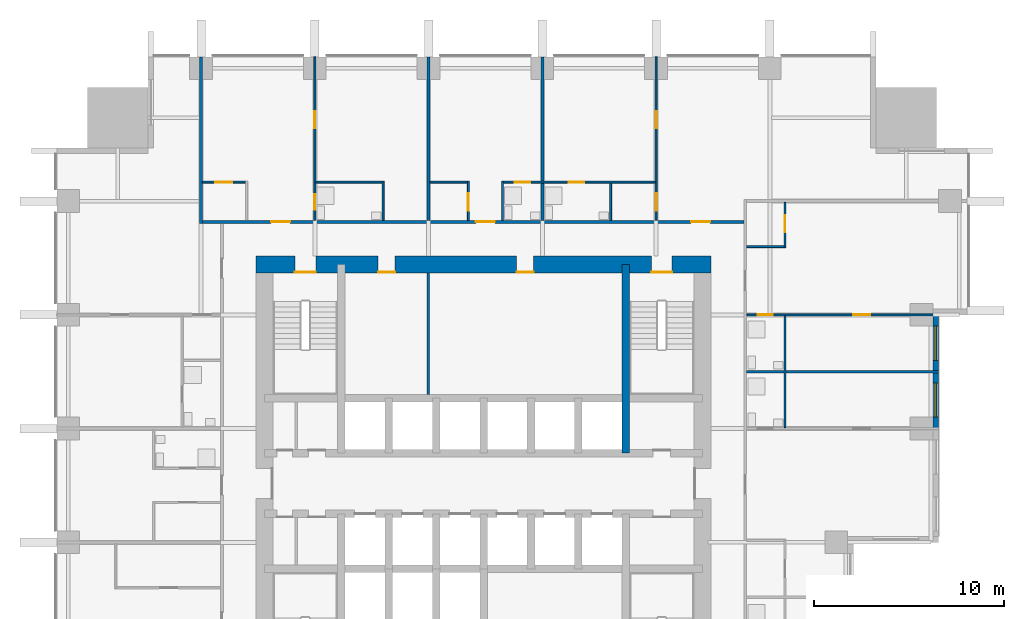
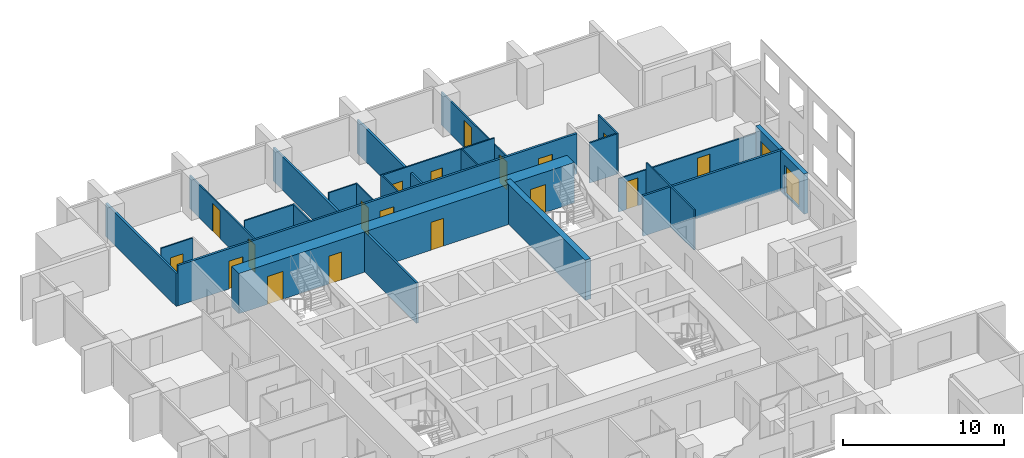
# One storey, part 7 of 11: 23 walls, 18 doors, 2 windows, 20 openings.
"""IFC4 building model written with IfcOpenShell, lengths in metres."""

from ifc_helpers import new_model, si_unit, direction, frame, frame_2d, origin, place, context, subcontext, project, spatial, rectangle, extrude, material, layer, layer_set, type_object, element, fill, save


model = new_model("IFC4")

# Units and contexts
model_context = context("Model", 3, precision=1e-05, world=origin(), true_north=direction((0.0, 1.0)))
body_context = subcontext(model_context, "Body", "Model", "MODEL_VIEW")
ifc_project = project(units=[si_unit("LENGTHUNIT", "METRE"), si_unit("AREAUNIT", "SQUARE_METRE"), si_unit("VOLUMEUNIT", "CUBIC_METRE"), si_unit("PLANEANGLEUNIT", "RADIAN"), si_unit("MASSUNIT", "GRAM", prefix="KILO")], contexts=[model_context])

# Site, building, storey
site_placement = place(None, origin())
site = spatial("IfcSite", under=ifc_project, at=site_placement, CompositionType="ELEMENT")
building_placement = place(site_placement, origin())
building = spatial("IfcBuilding", under=site, at=building_placement, Name="Amberfall Residences", CompositionType="ELEMENT")
storey_placement = place(building_placement, frame((0.0, 0.0, 59.800048828125)))
storey = spatial("IfcBuildingStorey", under=building, at=storey_placement, Name="L16", CompositionType="ELEMENT", Elevation=59.800048828125)

# Wall, openings, windows
ifc_material_1 = material(Name="Pale stone cladding on insulated backing", Category="masonry")
ifc_layer_1 = layer(ifc_material_1, 0.300048828125)
ifc_layer_set_1 = layer_set([ifc_layer_1], Name="Bronze clad wall 300")
wall_type_1 = type_object("IfcWallType", Name="Bronze clad wall 300", PredefinedType="SOLIDWALL", material=ifc_layer_set_1)
wall_1_placement = place(storey_placement, frame((98.35009765625, 48.39990234375, 0.0), z_axis=(0.0, 0.0, 1.0), x_axis=(0.0, 1.0, 0.0)))
wall_1 = element("IfcWall", 1, at=wall_1_placement, inside=storey, type_object=wall_type_1, Name="Stone wall L16 E", PredefinedType="SOLIDWALL", context=body_context, shape_type="SweptSolid", body=[
    extrude(rectangle(XDim=6.0, YDim=0.300048828125, at=frame_2d((3.0, 0.0))), origin(), (0.0, 0.0, 1.0), 3.050048828125),
])
opening_1_placement = place(wall_1_placement, frame((0.60009765625, 0.0, 0.14990234375)))
opening_1 = element("IfcOpeningElement", 2, at=opening_1_placement, cuts=wall_1, Name="Opening WN6", PredefinedType="OPENING", context=body_context, shape_type="SweptSolid", body=[
    extrude(rectangle(XDim=1.800048828125, YDim=2.10009765625, at=frame_2d((0.89990234375, 1.050048828125))), frame((0.0, 0.159912109375, 0.0), z_axis=(0.0, -1.0, 0.0), x_axis=(1.0, 0.0, 0.0)), (0.0, 0.0, 1.0), 0.320068359375),
])
opening_2_placement = place(wall_1_placement, frame((3.60009765625, 0.0, 0.14990234375)))
opening_2 = element("IfcOpeningElement", 3, at=opening_2_placement, cuts=wall_1, Name="Opening WN6", PredefinedType="OPENING", context=body_context, shape_type="SweptSolid", body=[
    extrude(rectangle(XDim=1.800048828125, YDim=2.10009765625, at=frame_2d((0.89990234375, 1.050048828125))), frame((0.0, 0.159912109375, 0.0), z_axis=(0.0, -1.0, 0.0), x_axis=(1.0, 0.0, 0.0)), (0.0, 0.0, 1.0), 0.320068359375),
])
ifc_material_2 = material(Name="Bronze aluminium framed glazing", Category="aluminium")
window_type = type_object("IfcWindowType", Name="Glazed opening 1800 x 2100 bronze", PartitioningType="DOUBLE_PANEL_VERTICAL", PredefinedType="WINDOW", material=ifc_material_2)
window_1_placement = place(opening_1_placement, origin())
window_1 = element("IfcWindow", 4, at=window_1_placement, inside=storey, type_object=window_type, Name="Window L16 E", OverallHeight=2.10009765625, OverallWidth=1.800048828125, PartitioningType="DOUBLE_PANEL_VERTICAL", PredefinedType="WINDOW", context=body_context, shape_type="SweptSolid", body=[
    extrude(rectangle(XDim=1.800048828125, YDim=2.10009765625, at=frame_2d((0.89990234375, 1.050048828125))), frame((0.0, 0.030029296875, 0.0), z_axis=(0.0, -1.0, 0.0), x_axis=(1.0, 0.0, 0.0)), (0.0, 0.0, 1.0), 0.06005859375),
])
fill(opening_1, window_1)
window_2_placement = place(opening_2_placement, origin())
window_2 = element("IfcWindow", 5, at=window_2_placement, inside=storey, type_object=window_type, Name="Window L16 E", OverallHeight=2.10009765625, OverallWidth=1.800048828125, PartitioningType="DOUBLE_PANEL_VERTICAL", PredefinedType="WINDOW", context=body_context, shape_type="SweptSolid", body=[
    extrude(rectangle(XDim=1.800048828125, YDim=2.10009765625, at=frame_2d((0.89990234375, 1.050048828125))), frame((0.0, 0.030029296875, 0.0), z_axis=(0.0, -1.0, 0.0), x_axis=(1.0, 0.0, 0.0)), (0.0, 0.0, 1.0), 0.06005859375),
])
fill(opening_2, window_2)

# Wall
ifc_material_3 = material(Name="Concrete C80", Category="concrete")
ifc_layer_2 = layer(ifc_material_3, 0.39990234375)
ifc_layer_set_2 = layer_set([ifc_layer_2], Name="Core wall 400 C80")
wall_type_2 = type_object("IfcWallType", Name="Core wall 400 C80", PredefinedType="SHEAR", material=ifc_layer_set_2)
wall_2_placement = place(storey_placement, frame((82.0, 47.10009765625, 0.0), z_axis=(0.0, 0.0, 1.0), x_axis=(0.0, 1.0, 0.0)))
element("IfcWall", 6, at=wall_2_placement, inside=storey, type_object=wall_type_2, Name="Core wall RW2 L16 V195N", PredefinedType="SHEAR", context=body_context, shape_type="SweptSolid", body=[
    extrude(rectangle(XDim=9.949951171875, YDim=0.39990234375, at=frame_2d((4.97509765625, 0.0))), origin(), (0.0, 0.0, 1.0), 3.050048828125),
])

# Wall, openings, doors
ifc_layer_3 = layer(ifc_material_3, 0.89990234375)
ifc_layer_set_3 = layer_set([ifc_layer_3], Name="Core wall 900 C80")
wall_type_3 = type_object("IfcWallType", Name="Core wall 900 C80", PredefinedType="SHEAR", material=ifc_layer_set_3)
wall_3_placement = place(storey_placement, frame((62.5, 57.050048828125, 0.0), z_axis=(0.0, 0.0, 1.0), x_axis=(1.0, 0.0, 0.0)))
wall_3 = element("IfcWall", 7, at=wall_3_placement, inside=storey, type_object=wall_type_3, Name="Core wall RW1 L16 ON", PredefinedType="SHEAR", context=body_context, shape_type="SweptSolid", body=[
    extrude(rectangle(XDim=24.0, YDim=0.89990234375, at=frame_2d((12.0, 0.0))), origin(), (0.0, 0.0, 1.0), 3.050048828125),
])
opening_3_placement = place(wall_3_placement, frame((20.85009765625, 0.0, 0.0)))
opening_3 = element("IfcOpeningElement", 8, at=opening_3_placement, cuts=wall_3, Name="Opening SD1", PredefinedType="OPENING", context=body_context, shape_type="SweptSolid", body=[
    extrude(rectangle(XDim=1.10009765625, YDim=2.10009765625, at=frame_2d((0.550048828125, 1.050048828125))), frame((0.0, 0.4599609375, 0.0), z_axis=(0.0, -1.0, 0.0), x_axis=(1.0, 0.0, 0.0)), (0.0, 0.0, 1.0), 0.919921875),
])
opening_4_placement = place(wall_3_placement, frame((2.050048828125, 0.0, 0.0)))
opening_4 = element("IfcOpeningElement", 9, at=opening_4_placement, cuts=wall_3, Name="Opening SD1", PredefinedType="OPENING", context=body_context, shape_type="SweptSolid", body=[
    extrude(rectangle(XDim=1.10009765625, YDim=2.10009765625, at=frame_2d((0.550048828125, 1.050048828125))), frame((0.0, 0.4599609375, 0.0), z_axis=(0.0, -1.0, 0.0), x_axis=(1.0, 0.0, 0.0)), (0.0, 0.0, 1.0), 0.919921875),
])
opening_5_placement = place(wall_3_placement, frame((6.43994140625, 0.0, 0.0)))
opening_5 = element("IfcOpeningElement", 10, at=opening_5_placement, cuts=wall_3, Name="Opening RD1", PredefinedType="OPENING", context=body_context, shape_type="SweptSolid", body=[
    extrude(rectangle(XDim=0.89990234375, YDim=2.10009765625, at=frame_2d((0.449951171875, 1.050048828125))), frame((0.0, 0.4599609375, 0.0), z_axis=(0.0, -1.0, 0.0), x_axis=(1.0, 0.0, 0.0)), (0.0, 0.0, 1.0), 0.919921875),
])
opening_6_placement = place(wall_3_placement, frame((13.739990234375, 0.0, 0.0)))
opening_6 = element("IfcOpeningElement", 11, at=opening_6_placement, cuts=wall_3, Name="Opening RD1", PredefinedType="OPENING", context=body_context, shape_type="SweptSolid", body=[
    extrude(rectangle(XDim=0.89990234375, YDim=2.10009765625, at=frame_2d((0.449951171875, 1.050048828125))), frame((0.0, 0.4599609375, 0.0), z_axis=(0.0, -1.0, 0.0), x_axis=(1.0, 0.0, 0.0)), (0.0, 0.0, 1.0), 0.919921875),
])
ifc_material_4 = material(Name="Steel fire door set", Category="steel")
door_type_1 = type_object("IfcDoorType", Name="Service room door 900 x 2100", OperationType="SINGLE_SWING_LEFT", PredefinedType="DOOR", material=ifc_material_4)
door_1_placement = place(opening_5_placement, origin())
door_1 = element("IfcDoor", 12, at=door_1_placement, inside=storey, type_object=door_type_1, Name="RD1 L16", OperationType="SINGLE_SWING_RIGHT", OverallHeight=2.10009765625, OverallWidth=0.89990234375, PredefinedType="DOOR", context=body_context, shape_type="SweptSolid", body=[
    extrude(rectangle(XDim=0.89990234375, YDim=2.10009765625, at=frame_2d((0.449951171875, 1.050048828125))), frame((0.0, -0.3876953125, 0.0), z_axis=(0.0, -1.0, 0.0), x_axis=(1.0, 0.0, 0.0)), (0.0, 0.0, 1.0), 0.050048828125),
])
fill(opening_5, door_1)
door_2_placement = place(opening_6_placement, origin())
door_2 = element("IfcDoor", 13, at=door_2_placement, inside=storey, type_object=door_type_1, Name="RD1 L16", OperationType="SINGLE_SWING_RIGHT", OverallHeight=2.10009765625, OverallWidth=0.89990234375, PredefinedType="DOOR", context=body_context, shape_type="SweptSolid", body=[
    extrude(rectangle(XDim=0.89990234375, YDim=2.10009765625, at=frame_2d((0.449951171875, 1.050048828125))), frame((0.0, -0.3876953125, 0.0), z_axis=(0.0, -1.0, 0.0), x_axis=(1.0, 0.0, 0.0)), (0.0, 0.0, 1.0), 0.050048828125),
])
fill(opening_6, door_2)
door_type_2 = type_object("IfcDoorType", Name="Stair door 1100 x 2100", OperationType="SINGLE_SWING_LEFT", PredefinedType="DOOR", material=ifc_material_4)
door_3_placement = place(opening_3_placement, origin())
door_3 = element("IfcDoor", 14, at=door_3_placement, inside=storey, type_object=door_type_2, Name="SD1 L16", OperationType="SINGLE_SWING_RIGHT", OverallHeight=2.10009765625, OverallWidth=1.10009765625, PredefinedType="DOOR", context=body_context, shape_type="SweptSolid", body=[
    extrude(rectangle(XDim=1.10009765625, YDim=2.10009765625, at=frame_2d((0.550048828125, 1.050048828125))), frame((0.0, -0.3876953125, 0.0), z_axis=(0.0, -1.0, 0.0), x_axis=(1.0, 0.0, 0.0)), (0.0, 0.0, 1.0), 0.050048828125),
])
fill(opening_3, door_3)
door_4_placement = place(opening_4_placement, origin())
door_4 = element("IfcDoor", 15, at=door_4_placement, inside=storey, type_object=door_type_2, Name="SD1 L16", OperationType="SINGLE_SWING_LEFT", OverallHeight=2.10009765625, OverallWidth=1.10009765625, PredefinedType="DOOR", context=body_context, shape_type="SweptSolid", body=[
    extrude(rectangle(XDim=1.10009765625, YDim=2.10009765625, at=frame_2d((0.550048828125, 1.050048828125))), frame((0.0, -0.3876953125, 0.0), z_axis=(0.0, -1.0, 0.0), x_axis=(1.0, 0.0, 0.0)), (0.0, 0.0, 1.0), 0.050048828125),
])
fill(opening_4, door_4)

ifc_material_5 = material(Name="Gypsum board on metal stud")
ifc_layer_4 = layer(ifc_material_5, 0.10009765625)
ifc_layer_set_4 = layer_set([ifc_layer_4], Name="Flat partition 100")
wall_type_4 = type_object("IfcWallType", Name="Flat partition 100", PredefinedType="PARTITIONING", material=ifc_layer_set_4)
wall_4_placement = place(storey_placement, frame((65.60009765625, 68.0, 0.0), z_axis=(0.0, 0.0, 1.0), x_axis=(0.0, -1.0, 0.0)))
wall_4 = element("IfcWall", 16, at=wall_4_placement, inside=storey, type_object=wall_type_4, Name="Partition 007", PredefinedType="PARTITIONING", context=body_context, shape_type="SweptSolid", body=[
    extrude(rectangle(XDim=8.625, YDim=0.10009765625, at=frame_2d((4.3125, 0.0))), origin(), (0.0, 0.0, 1.0), 2.515869140625),
])
opening_7_placement = place(wall_4_placement, frame((2.85009765625, 0.0, 0.0)))
opening_7 = element("IfcOpeningElement", 17, at=opening_7_placement, cuts=wall_4, Name="Opening D41", PredefinedType="OPENING", context=body_context, shape_type="SweptSolid", body=[
    extrude(rectangle(XDim=0.89990234375, YDim=2.10009765625, at=frame_2d((0.449951171875, 1.050048828125))), frame((0.0, 0.06005859375, 0.0), z_axis=(0.0, -1.0, 0.0), x_axis=(1.0, 0.0, 0.0)), (0.0, 0.0, 1.0), 0.1201171875),
])
opening_8_placement = place(wall_4_placement, frame((7.25, 0.0, 0.0)))
opening_8 = element("IfcOpeningElement", 18, at=opening_8_placement, cuts=wall_4, Name="Opening D42", PredefinedType="OPENING", context=body_context, shape_type="SweptSolid", body=[
    extrude(rectangle(XDim=0.800048828125, YDim=2.10009765625, at=frame_2d((0.39990234375, 1.050048828125))), frame((0.0, 0.06005859375, 0.0), z_axis=(0.0, -1.0, 0.0), x_axis=(1.0, 0.0, 0.0)), (0.0, 0.0, 1.0), 0.1201171875),
])
ifc_material_6 = material(Name="Timber", Category="wood")
door_type_3 = type_object("IfcDoorType", Name="Bathroom door 800 x 2100", OperationType="SINGLE_SWING_LEFT", PredefinedType="DOOR", material=ifc_material_6)
door_5_placement = place(opening_8_placement, origin())
door_5 = element("IfcDoor", 19, at=door_5_placement, inside=storey, type_object=door_type_3, Name="Door 1606 bath1", OperationType="SINGLE_SWING_LEFT", OverallHeight=2.10009765625, OverallWidth=0.800048828125, PredefinedType="DOOR", context=body_context, shape_type="SweptSolid", body=[
    extrude(rectangle(XDim=0.800048828125, YDim=2.10009765625, at=frame_2d((0.39990234375, 1.050048828125))), frame((0.0, 0.02490234375, 0.0), z_axis=(0.0, -1.0, 0.0), x_axis=(1.0, 0.0, 0.0)), (0.0, 0.0, 1.0), 0.050048828125),
])
fill(opening_8, door_5)
door_type_4 = type_object("IfcDoorType", Name="Internal door 900 x 2100", OperationType="SINGLE_SWING_LEFT", PredefinedType="DOOR", material=ifc_material_6)
door_6_placement = place(opening_7_placement, origin())
door_6 = element("IfcDoor", 20, at=door_6_placement, inside=storey, type_object=door_type_4, Name="Door 1606 bedroom1", OperationType="SINGLE_SWING_LEFT", OverallHeight=2.10009765625, OverallWidth=0.89990234375, PredefinedType="DOOR", context=body_context, shape_type="SweptSolid", body=[
    extrude(rectangle(XDim=0.89990234375, YDim=2.10009765625, at=frame_2d((0.449951171875, 1.050048828125))), frame((0.0, 0.02490234375, 0.0), z_axis=(0.0, -1.0, 0.0), x_axis=(1.0, 0.0, 0.0)), (0.0, 0.0, 1.0), 0.050048828125),
])
fill(opening_7, door_6)

# Wall
wall_5_placement = place(storey_placement, frame((69.199951171875, 59.375, 0.0), z_axis=(0.0, 0.0, 1.0), x_axis=(0.0, 1.0, 0.0)))
element("IfcWall", 21, at=wall_5_placement, inside=storey, type_object=wall_type_4, Name="Partition 009", PredefinedType="PARTITIONING", context=body_context, shape_type="SweptSolid", body=[
    extrude(rectangle(XDim=2.074951171875, YDim=0.10009765625, at=frame_2d((1.03759765625, 0.0))), origin(), (0.0, 0.0, 1.0), 3.050048828125),
])

# Wall, opening, door
wall_6_placement = place(storey_placement, frame((73.699951171875, 59.375, 0.0), z_axis=(0.0, 0.0, 1.0), x_axis=(0.0, 1.0, 0.0)))
wall_6 = element("IfcWall", 22, at=wall_6_placement, inside=storey, type_object=wall_type_4, Name="Partition 011", PredefinedType="PARTITIONING", context=body_context, shape_type="SweptSolid", body=[
    extrude(rectangle(XDim=2.074951171875, YDim=0.10009765625, at=frame_2d((1.03759765625, 0.0))), origin(), (0.0, 0.0, 1.0), 3.050048828125),
])
opening_9_placement = place(wall_6_placement, frame((0.52490234375, 0.0, 0.0)))
opening_9 = element("IfcOpeningElement", 23, at=opening_9_placement, cuts=wall_6, Name="Opening D41", PredefinedType="OPENING", context=body_context, shape_type="SweptSolid", body=[
    extrude(rectangle(XDim=0.89990234375, YDim=2.10009765625, at=frame_2d((0.449951171875, 1.050048828125))), frame((0.0, 0.06005859375, 0.0), z_axis=(0.0, -1.0, 0.0), x_axis=(1.0, 0.0, 0.0)), (0.0, 0.0, 1.0), 0.1201171875),
])
door_7_placement = place(opening_9_placement, origin())
door_7 = element("IfcDoor", 24, at=door_7_placement, inside=storey, type_object=door_type_4, Name="Door 1607 kitchen", OperationType="SINGLE_SWING_LEFT", OverallHeight=2.10009765625, OverallWidth=0.89990234375, PredefinedType="DOOR", context=body_context, shape_type="SweptSolid", body=[
    extrude(rectangle(XDim=0.89990234375, YDim=2.10009765625, at=frame_2d((0.449951171875, 1.050048828125))), frame((0.0, 0.02490234375, 0.0), z_axis=(0.0, -1.0, 0.0), x_axis=(1.0, 0.0, 0.0)), (0.0, 0.0, 1.0), 0.050048828125),
])
fill(opening_9, door_7)

# Walls
wall_7_placement = place(storey_placement, frame((75.5, 59.375, 0.0), z_axis=(0.0, 0.0, 1.0), x_axis=(0.0, 1.0, 0.0)))
element("IfcWall", 25, at=wall_7_placement, inside=storey, type_object=wall_type_4, Name="Partition 012", PredefinedType="PARTITIONING", context=body_context, shape_type="SweptSolid", body=[
    extrude(rectangle(XDim=2.074951171875, YDim=0.10009765625, at=frame_2d((1.03759765625, 0.0))), origin(), (0.0, 0.0, 1.0), 3.050048828125),
])
wall_8_placement = place(storey_placement, frame((81.199951171875, 59.375, 0.0), z_axis=(0.0, 0.0, 1.0), x_axis=(0.0, 1.0, 0.0)))
element("IfcWall", 26, at=wall_8_placement, inside=storey, type_object=wall_type_4, Name="Partition 014", PredefinedType="PARTITIONING", context=body_context, shape_type="SweptSolid", body=[
    extrude(rectangle(XDim=1.97509765625, YDim=0.10009765625, at=frame_2d((0.987548828125, 0.0))), origin(), (0.0, 0.0, 1.0), 3.050048828125),
])

# Wall, openings, doors
wall_9_placement = place(storey_placement, frame((83.60009765625, 59.375, 0.0), z_axis=(0.0, 0.0, 1.0), x_axis=(0.0, 1.0, 0.0)))
wall_9 = element("IfcWall", 27, at=wall_9_placement, inside=storey, type_object=wall_type_4, Name="Partition 016", PredefinedType="PARTITIONING", context=body_context, shape_type="SweptSolid", body=[
    extrude(rectangle(XDim=8.625, YDim=0.10009765625, at=frame_2d((4.3125, 0.0))), origin(), (0.0, 0.0, 1.0), 2.515869140625),
])
opening_10_placement = place(wall_9_placement, frame((0.52490234375, 0.0, 0.0)))
opening_10 = element("IfcOpeningElement", 28, at=opening_10_placement, cuts=wall_9, Name="Opening D41", PredefinedType="OPENING", context=body_context, shape_type="SweptSolid", body=[
    extrude(rectangle(XDim=0.89990234375, YDim=2.10009765625, at=frame_2d((0.449951171875, 1.050048828125))), frame((0.0, 0.06005859375, 0.0), z_axis=(0.0, -1.0, 0.0), x_axis=(1.0, 0.0, 0.0)), (0.0, 0.0, 1.0), 0.1201171875),
])
opening_11_placement = place(wall_9_placement, frame((4.875, 0.0, 0.0)))
opening_11 = element("IfcOpeningElement", 29, at=opening_11_placement, cuts=wall_9, Name="Opening D41", PredefinedType="OPENING", context=body_context, shape_type="SweptSolid", body=[
    extrude(rectangle(XDim=0.89990234375, YDim=2.10009765625, at=frame_2d((0.449951171875, 1.050048828125))), frame((0.0, 0.06005859375, 0.0), z_axis=(0.0, -1.0, 0.0), x_axis=(1.0, 0.0, 0.0)), (0.0, 0.0, 1.0), 0.1201171875),
])
door_8_placement = place(opening_10_placement, origin())
door_8 = element("IfcDoor", 30, at=door_8_placement, inside=storey, type_object=door_type_4, Name="Door 1608 kitchen", OperationType="SINGLE_SWING_LEFT", OverallHeight=2.10009765625, OverallWidth=0.89990234375, PredefinedType="DOOR", context=body_context, shape_type="SweptSolid", body=[
    extrude(rectangle(XDim=0.89990234375, YDim=2.10009765625, at=frame_2d((0.449951171875, 1.050048828125))), frame((0.0, 0.02490234375, 0.0), z_axis=(0.0, -1.0, 0.0), x_axis=(1.0, 0.0, 0.0)), (0.0, 0.0, 1.0), 0.050048828125),
])
fill(opening_10, door_8)
door_9_placement = place(opening_11_placement, origin())
door_9 = element("IfcDoor", 31, at=door_9_placement, inside=storey, type_object=door_type_4, Name="Door 1608 bedroom1", OperationType="SINGLE_SWING_LEFT", OverallHeight=2.10009765625, OverallWidth=0.89990234375, PredefinedType="DOOR", context=body_context, shape_type="SweptSolid", body=[
    extrude(rectangle(XDim=0.89990234375, YDim=2.10009765625, at=frame_2d((0.449951171875, 1.050048828125))), frame((0.0, 0.02490234375, 0.0), z_axis=(0.0, -1.0, 0.0), x_axis=(1.0, 0.0, 0.0)), (0.0, 0.0, 1.0), 0.050048828125),
])
fill(opening_11, door_9)

# Wall
wall_10_placement = place(storey_placement, frame((90.39990234375, 48.449951171875, 0.0), z_axis=(0.0, 0.0, 1.0), x_axis=(0.0, 1.0, 0.0)))
element("IfcWall", 32, at=wall_10_placement, inside=storey, type_object=wall_type_4, Name="Partition 019", PredefinedType="PARTITIONING", context=body_context, shape_type="SweptSolid", body=[
    extrude(rectangle(XDim=5.900146484375, YDim=0.10009765625, at=frame_2d((2.9501953125, 0.0))), origin(), (0.0, 0.0, 1.0), 3.050048828125),
])

# Wall, opening, door
wall_11_placement = place(storey_placement, frame((90.39990234375, 57.949951171875, 0.0), z_axis=(0.0, 0.0, 1.0), x_axis=(0.0, 1.0, 0.0)))
wall_11 = element("IfcWall", 33, at=wall_11_placement, inside=storey, type_object=wall_type_4, Name="Partition 020", PredefinedType="PARTITIONING", context=body_context, shape_type="SweptSolid", body=[
    extrude(rectangle(XDim=2.375, YDim=0.10009765625, at=frame_2d((1.1875, 0.0))), origin(), (0.0, 0.0, 1.0), 3.050048828125),
])
opening_12_placement = place(wall_11_placement, frame((0.800048828125, 0.0, 0.0)))
opening_12 = element("IfcOpeningElement", 34, at=opening_12_placement, cuts=wall_11, Name="Opening D41", PredefinedType="OPENING", context=body_context, shape_type="SweptSolid", body=[
    extrude(rectangle(XDim=0.89990234375, YDim=2.10009765625, at=frame_2d((0.449951171875, 1.050048828125))), frame((0.0, 0.06005859375, 0.0), z_axis=(0.0, -1.0, 0.0), x_axis=(1.0, 0.0, 0.0)), (0.0, 0.0, 1.0), 0.1201171875),
])
door_10_placement = place(opening_12_placement, origin())
door_10 = element("IfcDoor", 35, at=door_10_placement, inside=storey, type_object=door_type_4, Name="Door 1605 kitchen", OperationType="SINGLE_SWING_LEFT", OverallHeight=2.10009765625, OverallWidth=0.89990234375, PredefinedType="DOOR", context=body_context, shape_type="SweptSolid", body=[
    extrude(rectangle(XDim=0.89990234375, YDim=2.10009765625, at=frame_2d((0.449951171875, 1.050048828125))), frame((0.0, 0.02490234375, 0.0), z_axis=(0.0, -1.0, 0.0), x_axis=(1.0, 0.0, 0.0)), (0.0, 0.0, 1.0), 0.050048828125),
])
fill(opening_12, door_10)

wall_12_placement = place(storey_placement, frame((61.949951171875, 61.39990234375, 0.0), z_axis=(0.0, 0.0, 1.0), x_axis=(-1.0, 0.0, 0.0)))
wall_12 = element("IfcWall", 36, at=wall_12_placement, inside=storey, type_object=wall_type_4, Name="Partition 021", PredefinedType="PARTITIONING", context=body_context, shape_type="SweptSolid", body=[
    extrude(rectangle(XDim=2.27490234375, YDim=0.10009765625, at=frame_2d((1.137451171875, 0.0))), origin(), (0.0, 0.0, 1.0), 3.050048828125),
])
opening_13_placement = place(wall_12_placement, frame((0.699951171875, 0.0, 0.0)))
opening_13 = element("IfcOpeningElement", 37, at=opening_13_placement, cuts=wall_12, Name="Opening D41", PredefinedType="OPENING", context=body_context, shape_type="SweptSolid", body=[
    extrude(rectangle(XDim=0.89990234375, YDim=2.10009765625, at=frame_2d((0.449951171875, 1.050048828125))), frame((0.0, 0.06005859375, 0.0), z_axis=(0.0, -1.0, 0.0), x_axis=(1.0, 0.0, 0.0)), (0.0, 0.0, 1.0), 0.1201171875),
])
door_11_placement = place(opening_13_placement, origin())
door_11 = element("IfcDoor", 38, at=door_11_placement, inside=storey, type_object=door_type_4, Name="Door 1606 kitchen", OperationType="SINGLE_SWING_LEFT", OverallHeight=2.10009765625, OverallWidth=0.89990234375, PredefinedType="DOOR", context=body_context, shape_type="SweptSolid", body=[
    extrude(rectangle(XDim=0.89990234375, YDim=2.10009765625, at=frame_2d((0.449951171875, 1.050048828125))), frame((0.0, 0.02490234375, 0.0), z_axis=(0.0, -1.0, 0.0), x_axis=(1.0, 0.0, 0.0)), (0.0, 0.0, 1.0), 0.050048828125),
])
fill(opening_13, door_11)

# Walls
wall_13_placement = place(storey_placement, frame((65.64990234375, 61.39990234375, 0.0), z_axis=(0.0, 0.0, 1.0), x_axis=(1.0, 0.0, 0.0)))
element("IfcWall", 39, at=wall_13_placement, inside=storey, type_object=wall_type_4, Name="Partition 022", PredefinedType="PARTITIONING", context=body_context, shape_type="SweptSolid", body=[
    extrude(rectangle(XDim=3.5, YDim=0.10009765625, at=frame_2d((1.75, 0.0))), origin(), (0.0, 0.0, 1.0), 3.050048828125),
])
wall_14_placement = place(storey_placement, frame((71.675048828125, 61.39990234375, 0.0), z_axis=(0.0, 0.0, 1.0), x_axis=(1.0, 0.0, 0.0)))
element("IfcWall", 40, at=wall_14_placement, inside=storey, type_object=wall_type_4, Name="Partition 023", PredefinedType="PARTITIONING", context=body_context, shape_type="SweptSolid", body=[
    extrude(rectangle(XDim=1.974853515625, YDim=0.10009765625, at=frame_2d((0.9873046875, 0.0))), origin(), (0.0, 0.0, 1.0), 3.050048828125),
])

# Wall, openings, doors
wall_15_placement = place(storey_placement, frame((83.550048828125, 61.39990234375, 0.0), z_axis=(0.0, 0.0, 1.0), x_axis=(-1.0, 0.0, 0.0)))
wall_15 = element("IfcWall", 41, at=wall_15_placement, inside=storey, type_object=wall_type_4, Name="Partition 024", PredefinedType="PARTITIONING", context=body_context, shape_type="SweptSolid", body=[
    extrude(rectangle(XDim=8.0, YDim=0.10009765625, at=frame_2d((4.0, 0.0))), origin(), (0.0, 0.0, 1.0), 3.050048828125),
])
opening_14_placement = place(wall_15_placement, frame((6.60009765625, 0.0, 0.0)))
opening_14 = element("IfcOpeningElement", 42, at=opening_14_placement, cuts=wall_15, Name="Opening D42", PredefinedType="OPENING", context=body_context, shape_type="SweptSolid", body=[
    extrude(rectangle(XDim=0.800048828125, YDim=2.10009765625, at=frame_2d((0.39990234375, 1.050048828125))), frame((0.0, 0.06005859375, 0.0), z_axis=(0.0, -1.0, 0.0), x_axis=(1.0, 0.0, 0.0)), (0.0, 0.0, 1.0), 0.1201171875),
])
opening_15_placement = place(wall_15_placement, frame((3.75, 0.0, 0.0)))
opening_15 = element("IfcOpeningElement", 43, at=opening_15_placement, cuts=wall_15, Name="Opening D42", PredefinedType="OPENING", context=body_context, shape_type="SweptSolid", body=[
    extrude(rectangle(XDim=0.800048828125, YDim=2.10009765625, at=frame_2d((0.39990234375, 1.050048828125))), frame((0.0, 0.06005859375, 0.0), z_axis=(0.0, -1.0, 0.0), x_axis=(1.0, 0.0, 0.0)), (0.0, 0.0, 1.0), 0.1201171875),
])
door_12_placement = place(opening_14_placement, origin())
door_12 = element("IfcDoor", 44, at=door_12_placement, inside=storey, type_object=door_type_3, Name="Door 1607 bath1", OperationType="SINGLE_SWING_LEFT", OverallHeight=2.10009765625, OverallWidth=0.800048828125, PredefinedType="DOOR", context=body_context, shape_type="SweptSolid", body=[
    extrude(rectangle(XDim=0.800048828125, YDim=2.10009765625, at=frame_2d((0.39990234375, 1.050048828125))), frame((0.0, 0.02490234375, 0.0), z_axis=(0.0, -1.0, 0.0), x_axis=(1.0, 0.0, 0.0)), (0.0, 0.0, 1.0), 0.050048828125),
])
fill(opening_14, door_12)
door_13_placement = place(opening_15_placement, origin())
door_13 = element("IfcDoor", 45, at=door_13_placement, inside=storey, type_object=door_type_3, Name="Door 1608 bath1", OperationType="SINGLE_SWING_LEFT", OverallHeight=2.10009765625, OverallWidth=0.800048828125, PredefinedType="DOOR", context=body_context, shape_type="SweptSolid", body=[
    extrude(rectangle(XDim=0.800048828125, YDim=2.10009765625, at=frame_2d((0.39990234375, 1.050048828125))), frame((0.0, 0.02490234375, 0.0), z_axis=(0.0, -1.0, 0.0), x_axis=(1.0, 0.0, 0.0)), (0.0, 0.0, 1.0), 0.050048828125),
])
fill(opening_15, door_13)

# Wall
wall_16_placement = place(storey_placement, frame((88.375, 58.0, 0.0), z_axis=(0.0, 0.0, 1.0), x_axis=(1.0, 0.0, 0.0)))
element("IfcWall", 46, at=wall_16_placement, inside=storey, type_object=wall_type_4, Name="Partition 025", PredefinedType="PARTITIONING", context=body_context, shape_type="SweptSolid", body=[
    extrude(rectangle(XDim=1.97509765625, YDim=0.10009765625, at=frame_2d((0.987548828125, 0.0))), origin(), (0.0, 0.0, 1.0), 3.050048828125),
])

# Wall, openings, doors
wall_17_placement = place(storey_placement, frame((98.5, 54.39990234375, 0.0), z_axis=(0.0, 0.0, 1.0), x_axis=(-1.0, 0.0, 0.0)))
wall_17 = element("IfcWall", 47, at=wall_17_placement, inside=storey, type_object=wall_type_4, Name="Partition 027", PredefinedType="PARTITIONING", context=body_context, shape_type="SweptSolid", body=[
    extrude(rectangle(XDim=10.125, YDim=0.10009765625, at=frame_2d((5.0625, 0.0))), origin(), (0.0, 0.0, 1.0), 2.515869140625),
])
opening_16_placement = place(wall_17_placement, frame((3.60009765625, 0.0, 0.0)))
opening_16 = element("IfcOpeningElement", 48, at=opening_16_placement, cuts=wall_17, Name="Opening D41", PredefinedType="OPENING", context=body_context, shape_type="SweptSolid", body=[
    extrude(rectangle(XDim=0.89990234375, YDim=2.10009765625, at=frame_2d((0.449951171875, 1.050048828125))), frame((0.0, 0.06005859375, 0.0), z_axis=(0.0, -1.0, 0.0), x_axis=(1.0, 0.0, 0.0)), (0.0, 0.0, 1.0), 0.1201171875),
])
opening_17_placement = place(wall_17_placement, frame((8.75, 0.0, 0.0)))
opening_17 = element("IfcOpeningElement", 49, at=opening_17_placement, cuts=wall_17, Name="Opening D42", PredefinedType="OPENING", context=body_context, shape_type="SweptSolid", body=[
    extrude(rectangle(XDim=0.800048828125, YDim=2.10009765625, at=frame_2d((0.39990234375, 1.050048828125))), frame((0.0, 0.06005859375, 0.0), z_axis=(0.0, -1.0, 0.0), x_axis=(1.0, 0.0, 0.0)), (0.0, 0.0, 1.0), 0.1201171875),
])
door_14_placement = place(opening_17_placement, origin())
door_14 = element("IfcDoor", 50, at=door_14_placement, inside=storey, type_object=door_type_3, Name="Door 1605 bath1", OperationType="SINGLE_SWING_LEFT", OverallHeight=2.10009765625, OverallWidth=0.800048828125, PredefinedType="DOOR", context=body_context, shape_type="SweptSolid", body=[
    extrude(rectangle(XDim=0.800048828125, YDim=2.10009765625, at=frame_2d((0.39990234375, 1.050048828125))), frame((0.0, 0.02490234375, 0.0), z_axis=(0.0, -1.0, 0.0), x_axis=(1.0, 0.0, 0.0)), (0.0, 0.0, 1.0), 0.050048828125),
])
fill(opening_17, door_14)
door_15_placement = place(opening_16_placement, origin())
door_15 = element("IfcDoor", 51, at=door_15_placement, inside=storey, type_object=door_type_4, Name="Door 1605 bedroom1", OperationType="SINGLE_SWING_LEFT", OverallHeight=2.10009765625, OverallWidth=0.89990234375, PredefinedType="DOOR", context=body_context, shape_type="SweptSolid", body=[
    extrude(rectangle(XDim=0.89990234375, YDim=2.10009765625, at=frame_2d((0.449951171875, 1.050048828125))), frame((0.0, 0.02490234375, 0.0), z_axis=(0.0, -1.0, 0.0), x_axis=(1.0, 0.0, 0.0)), (0.0, 0.0, 1.0), 0.050048828125),
])
fill(opening_16, door_15)

# Walls
ifc_material_7 = material(Name="Blockwork, plastered", Category="masonry")
ifc_layer_5 = layer(ifc_material_7, 0.14990234375)
ifc_layer_set_5 = layer_set([ifc_layer_5], Name="Flat separating wall 150")
wall_type_5 = type_object("IfcWallType", Name="Flat separating wall 150", PredefinedType="PARTITIONING", material=ifc_layer_set_5)
wall_18_placement = place(storey_placement, frame((59.60009765625, 59.22509765625, 0.0), z_axis=(0.0, 0.0, 1.0), x_axis=(0.0, 1.0, 0.0)))
element("IfcWall", 52, at=wall_18_placement, inside=storey, type_object=wall_type_5, Name="Separating wall 041", PredefinedType="PARTITIONING", context=body_context, shape_type="SweptSolid", body=[
    extrude(rectangle(XDim=8.77490234375, YDim=0.14990234375, at=frame_2d((4.387451171875, 0.0))), origin(), (0.0, 0.0, 1.0), 2.510009765625),
])
for number, where, z_axis, x_axis, name in (
    (53, (71.60009765625, 59.375, 0.0), (0.0, 0.0, 1.0), (0.0, 1.0, 0.0), "Separating wall 043"),
    (54, (77.60009765625, 59.375, 0.0), (0.0, 0.0, 1.0), (0.0, 1.0, 0.0), "Separating wall 045"),
):
    element("IfcWall", number, at=place(storey_placement, frame(where, z_axis=z_axis, x_axis=x_axis)), inside=storey, type_object=wall_type_5, Name=name, PredefinedType="PARTITIONING", context=body_context, shape_type="SweptSolid", body=[
        extrude(rectangle(XDim=8.625, YDim=0.14990234375, at=frame_2d((4.3125, 0.0))), origin(), (0.0, 0.0, 1.0), 2.515869140625),
    ])

# Wall, openings, doors
wall_19_placement = place(storey_placement, frame((59.675048828125, 59.300048828125, 0.0), z_axis=(0.0, 0.0, 1.0), x_axis=(1.0, 0.0, 0.0)))
wall_19 = element("IfcWall", 55, at=wall_19_placement, inside=storey, type_object=wall_type_5, Name="Separating wall 049", PredefinedType="PARTITIONING", context=body_context, shape_type="SweptSolid", body=[
    extrude(rectangle(XDim=28.550048828125, YDim=0.14990234375, at=frame_2d((14.27490234375, 0.0))), origin(), (0.0, 0.0, 1.0), 3.050048828125),
])
opening_18_placement = place(wall_19_placement, frame((3.625, 0.0, 0.0)))
opening_18 = element("IfcOpeningElement", 56, at=opening_18_placement, cuts=wall_19, Name="Opening D40", PredefinedType="OPENING", context=body_context, shape_type="SweptSolid", body=[
    extrude(rectangle(XDim=1.0, YDim=2.10009765625, at=frame_2d((0.5, 1.050048828125))), frame((0.0, 0.0849609375, 0.0), z_axis=(0.0, -1.0, 0.0), x_axis=(1.0, 0.0, 0.0)), (0.0, 0.0, 1.0), 0.169921875),
])
opening_19_placement = place(wall_19_placement, frame((14.425048828125, 0.0, 0.0)))
opening_19 = element("IfcOpeningElement", 57, at=opening_19_placement, cuts=wall_19, Name="Opening D40", PredefinedType="OPENING", context=body_context, shape_type="SweptSolid", body=[
    extrude(rectangle(XDim=1.0, YDim=2.10009765625, at=frame_2d((0.5, 1.050048828125))), frame((0.0, 0.0849609375, 0.0), z_axis=(0.0, -1.0, 0.0), x_axis=(1.0, 0.0, 0.0)), (0.0, 0.0, 1.0), 0.169921875),
])
opening_20_placement = place(wall_19_placement, frame((25.77490234375, 0.0, 0.0)))
opening_20 = element("IfcOpeningElement", 58, at=opening_20_placement, cuts=wall_19, Name="Opening D40", PredefinedType="OPENING", context=body_context, shape_type="SweptSolid", body=[
    extrude(rectangle(XDim=1.0, YDim=2.10009765625, at=frame_2d((0.5, 1.050048828125))), frame((0.0, 0.0849609375, 0.0), z_axis=(0.0, -1.0, 0.0), x_axis=(1.0, 0.0, 0.0)), (0.0, 0.0, 1.0), 0.169921875),
])
ifc_material_8 = material(Name="Timber, fire-rated", Category="wood")
door_type_5 = type_object("IfcDoorType", Name="Flat entrance door FD60 1000 x 2100", OperationType="SINGLE_SWING_LEFT", PredefinedType="DOOR", material=ifc_material_8)
door_16_placement = place(opening_18_placement, origin())
door_16 = element("IfcDoor", 59, at=door_16_placement, inside=storey, type_object=door_type_5, Name="Door 1606 entrance", OperationType="SINGLE_SWING_LEFT", OverallHeight=2.10009765625, OverallWidth=1.0, PredefinedType="DOOR", context=body_context, shape_type="SweptSolid", body=[
    extrude(rectangle(XDim=1.0, YDim=2.10009765625, at=frame_2d((0.5, 1.050048828125))), frame((0.0, 0.02490234375, 0.0), z_axis=(0.0, -1.0, 0.0), x_axis=(1.0, 0.0, 0.0)), (0.0, 0.0, 1.0), 0.050048828125),
])
fill(opening_18, door_16)
door_17_placement = place(opening_19_placement, origin())
door_17 = element("IfcDoor", 60, at=door_17_placement, inside=storey, type_object=door_type_5, Name="Door 1607 entrance", OperationType="SINGLE_SWING_LEFT", OverallHeight=2.10009765625, OverallWidth=1.0, PredefinedType="DOOR", context=body_context, shape_type="SweptSolid", body=[
    extrude(rectangle(XDim=1.0, YDim=2.10009765625, at=frame_2d((0.5, 1.050048828125))), frame((0.0, 0.02490234375, 0.0), z_axis=(0.0, -1.0, 0.0), x_axis=(1.0, 0.0, 0.0)), (0.0, 0.0, 1.0), 0.050048828125),
])
fill(opening_19, door_17)
door_18_placement = place(opening_20_placement, origin())
door_18 = element("IfcDoor", 61, at=door_18_placement, inside=storey, type_object=door_type_5, Name="Door 1608 entrance", OperationType="SINGLE_SWING_LEFT", OverallHeight=2.10009765625, OverallWidth=1.0, PredefinedType="DOOR", context=body_context, shape_type="SweptSolid", body=[
    extrude(rectangle(XDim=1.0, YDim=2.10009765625, at=frame_2d((0.5, 1.050048828125))), frame((0.0, 0.02490234375, 0.0), z_axis=(0.0, -1.0, 0.0), x_axis=(1.0, 0.0, 0.0)), (0.0, 0.0, 1.0), 0.050048828125),
])
fill(opening_20, door_18)

# Walls
wall_20_placement = place(storey_placement, frame((88.375, 51.39990234375, 0.0), z_axis=(0.0, 0.0, 1.0), x_axis=(1.0, 0.0, 0.0)))
element("IfcWall", 62, at=wall_20_placement, inside=storey, type_object=wall_type_5, Name="Separating wall 050", PredefinedType="PARTITIONING", context=body_context, shape_type="SweptSolid", body=[
    extrude(rectangle(XDim=10.125, YDim=0.14990234375, at=frame_2d((5.0625, 0.0))), origin(), (0.0, 0.0, 1.0), 3.050048828125),
])
ifc_material_9 = material(Name="Concrete blockwork", Category="masonry")
ifc_layer_6 = layer(ifc_material_9, 0.14990234375)
ifc_layer_set_6 = layer_set([ifc_layer_6], Name="Riser wall 150")
wall_type_6 = type_object("IfcWallType", Name="Riser wall 150", PredefinedType="PLUMBINGWALL", material=ifc_layer_set_6)
wall_21_placement = place(storey_placement, frame((71.580078125, 50.199951171875, 0.0), z_axis=(0.0, 0.0, 1.0), x_axis=(0.0, 1.0, 0.0)))
element("IfcWall", 63, at=wall_21_placement, inside=storey, type_object=wall_type_6, Name="L16 core wall N0", PredefinedType="PLUMBINGWALL", context=body_context, shape_type="SweptSolid", body=[
    extrude(rectangle(XDim=6.400146484375, YDim=0.14990234375, at=frame_2d((3.2001953125, 0.0))), origin(), (0.0, 0.0, 1.0), 3.050048828125),
])

save(model, "model.ifc")
